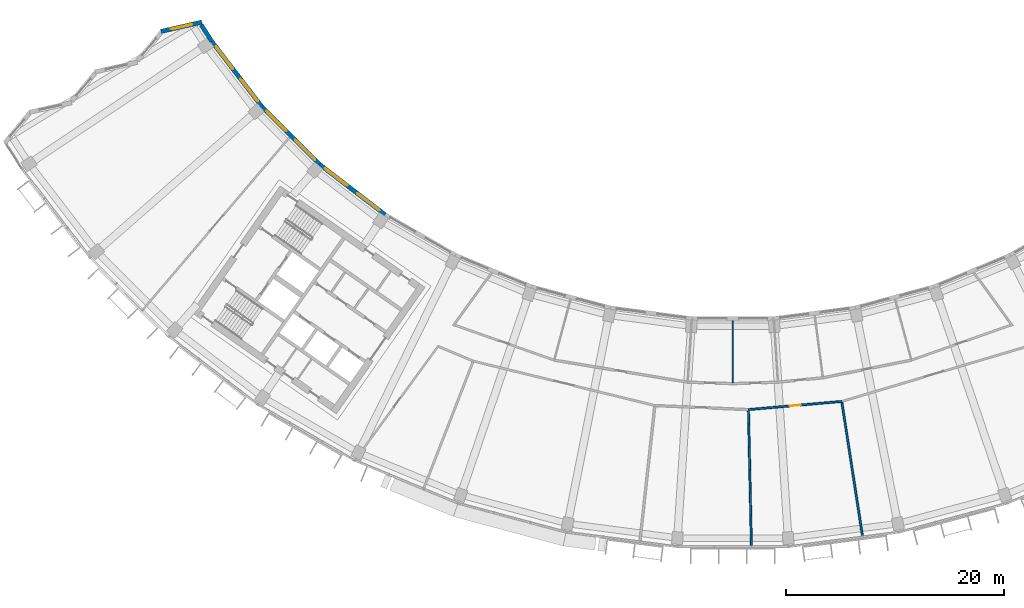
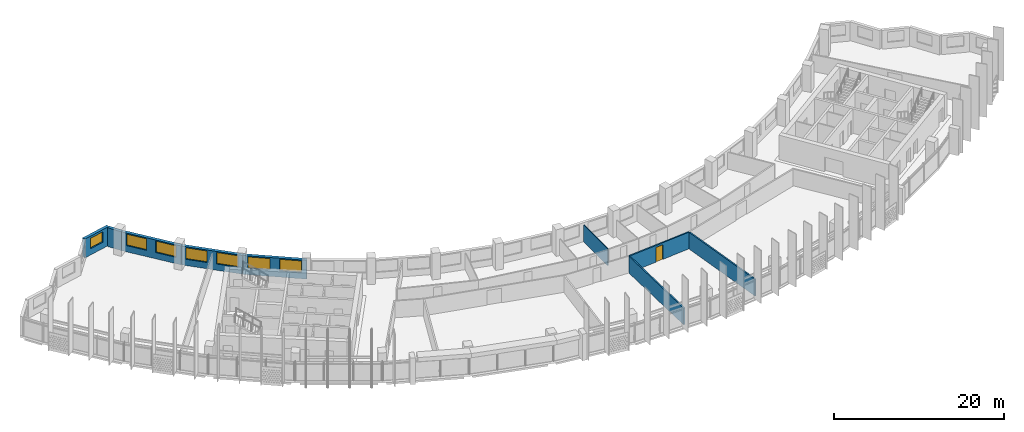
# One storey, part 5 of 28: 9 walls, 7 windows, 1 door, 8 openings.
"""IFC4 building model written with IfcOpenShell, lengths in metres."""

from ifc_helpers import new_model, si_unit, direction, frame, frame_2d, origin, place, context, subcontext, project, spatial, rectangle, extrude, material, layer, layer_set, type_object, element, fill, save


model = new_model("IFC4")

# Units and contexts
model_context = context("Model", 3, precision=1e-05, world=origin(), true_north=direction((0.0, 1.0)))
body_context = subcontext(model_context, "Body", "Model", "MODEL_VIEW")
ifc_project = project(units=[si_unit("LENGTHUNIT", "METRE"), si_unit("AREAUNIT", "SQUARE_METRE"), si_unit("VOLUMEUNIT", "CUBIC_METRE"), si_unit("PLANEANGLEUNIT", "RADIAN"), si_unit("MASSUNIT", "GRAM", prefix="KILO")], contexts=[model_context])

# Site, building, storey
site_placement = place(None, origin())
site = spatial("IfcSite", under=ifc_project, at=site_placement, CompositionType="ELEMENT")
building_placement = place(site_placement, origin())
building = spatial("IfcBuilding", under=site, at=building_placement, Name="Qamariyya Broadcast Tower", CompositionType="ELEMENT")
storey_placement = place(building_placement, frame((0.0, 0.0, 234.10009765625)))
storey = spatial("IfcBuildingStorey", under=building, at=storey_placement, Name="L56", CompositionType="ELEMENT", Elevation=234.10009765625)

# Wall
ifc_material_1 = material(Name="Gypsum board partition")
ifc_layer_1 = layer(ifc_material_1, 0.10009765625)
ifc_layer_set_1 = layer_set([ifc_layer_1], Name="Partition 100")
wall_type_1 = type_object("IfcWallType", Name="Partition 100", PredefinedType="PARTITIONING", material=ifc_layer_set_1)
wall_1_placement = place(storey_placement, frame((0.0, -57.627197265625, 0.0), z_axis=(0.0, 0.0, 1.0), x_axis=(0.0, -1.0, 0.0)))
element("IfcWall", 1, at=wall_1_placement, inside=storey, type_object=wall_type_1, Name="Partition L56-015", PredefinedType="PARTITIONING", context=body_context, shape_type="SweptSolid", body=[
    extrude(rectangle(XDim=5.682861328125, YDim=0.10009765625, at=frame_2d((2.84130859375, 0.0))), origin(), (0.0, 0.0, 1.0), 2.39990234375),
])

# Wall, opening, door
ifc_layer_2 = layer(ifc_material_1, 0.179931640625)
ifc_layer_set_2 = layer_set([ifc_layer_2], Name="Studio acoustic partition 180 EI 60")
wall_type_2 = type_object("IfcWallType", Name="Studio acoustic partition 180 EI 60", PredefinedType="PARTITIONING", material=ifc_layer_set_2)
wall_2_placement = place(storey_placement, frame((10.011474609375, -65.033935546875, 0.0), z_axis=(0.0, 0.0, 1.0), x_axis=(-0.996193717496, -0.087166950281, 0.0)))
wall_2 = element("IfcWall", 2, at=wall_2_placement, inside=storey, type_object=wall_type_2, Name="Partition L56-016", PredefinedType="PARTITIONING", context=body_context, shape_type="SweptSolid", body=[
    extrude(rectangle(XDim=8.60693359375, YDim=0.179931640625, at=frame_2d((4.303466796875, 0.0))), origin(), (0.0, 0.0, 1.0), 2.39990234375),
])
opening_1_placement = place(wall_2_placement, frame((3.803466796875, 0.0, 0.0)))
opening_1 = element("IfcOpeningElement", 3, at=opening_1_placement, cuts=wall_2, Name="Opening L56-D04", PredefinedType="OPENING", context=body_context, shape_type="SweptSolid", body=[
    extrude(rectangle(XDim=1.0, YDim=2.10009765625, at=frame_2d((0.5, 1.050048828125))), frame((0.0, 0.099853515625, 0.0), z_axis=(0.0, -1.0, 0.0), x_axis=(1.0, 0.0, 0.0)), (0.0, 0.0, 1.0), 0.199951171875),
])
ifc_material_2 = material(Name="Timber fire door leaf", Category="wood")
door_type = type_object("IfcDoorType", Name="Fire door 1000 x 2100 FD60", OperationType="NOTDEFINED", PredefinedType="DOOR", material=ifc_material_2)
door_placement = place(opening_1_placement, origin())
door = element("IfcDoor", 4, at=door_placement, inside=storey, type_object=door_type, Name="Door L56-D04", OperationType="SINGLE_SWING_RIGHT", OverallHeight=2.10009765625, OverallWidth=1.0, PredefinedType="DOOR", context=body_context, shape_type="SweptSolid", body=[
    extrude(rectangle(XDim=1.0, YDim=2.10009765625, at=frame_2d((0.5, 1.050048828125))), frame((0.0, 0.02490234375, 0.0), z_axis=(0.0, -1.0, 0.0), x_axis=(1.0, 0.0, 0.0)), (0.0, 0.0, 1.0), 0.050048828125),
])
fill(opening_1, door)

# Walls
for number, where, z_axis, x_axis, name in (
    (5, (1.710205078125, -78.28173828125, 0.0), (0.0, 0.0, 1.0), (-0.021836156994, 0.999761562698, 0.0), "Partition L56-017"),
    (6, (11.91357421875, -77.388671875, 0.0), (0.0, 0.0, 1.0), (-0.152165096614, 0.988355089719, 0.0), "Partition L56-023"),
):
    element("IfcWall", number, at=place(storey_placement, frame(where, z_axis=z_axis, x_axis=x_axis)), inside=storey, type_object=wall_type_2, Name=name, PredefinedType="PARTITIONING", context=body_context, shape_type="SweptSolid", body=[
        extrude(rectangle(XDim=12.410400390625, YDim=0.179931640625, at=frame_2d((6.205078125, 0.0))), origin(), (0.0, 0.0, 1.0), 2.39990234375),
    ])

# Wall, opening, window
ifc_material_3 = material(Name="Terracotta", Category="masonry")
ifc_layer_3 = layer(ifc_material_3, 0.39990234375)
ifc_layer_set_3 = layer_set([ifc_layer_3], Name="Terracotta clad wall 400")
wall_type_3 = type_object("IfcWallType", Name="Terracotta clad wall 400", PredefinedType="SOLIDWALL", material=ifc_layer_set_3)
wall_3_placement = place(storey_placement, frame((-48.790771484375, -30.18359375, 0.0), z_axis=(0.0, 0.0, 1.0), x_axis=(-0.975126598808, -0.221648632518, 0.0)))
wall_3 = element("IfcWall", 7, at=wall_3_placement, inside=storey, type_object=wall_type_3, Name="e-wl-L56-capW0", PredefinedType="SOLIDWALL", context=body_context, shape_type="SweptSolid", body=[
    extrude(rectangle(XDim=3.833251953125, YDim=0.39990234375, at=frame_2d((1.91650390625, 0.0))), origin(), (0.0, 0.0, 1.0), 2.699951171875),
])
opening_2_placement = place(wall_3_placement, frame((0.91650390625, 0.0, 0.89990234375)))
opening_2 = element("IfcOpeningElement", 8, at=opening_2_placement, cuts=wall_3, Name="Opening W4", PredefinedType="OPENING", context=body_context, shape_type="SweptSolid", body=[
    extrude(rectangle(XDim=2.0, YDim=1.5, at=frame_2d((1.0, 0.75))), frame((0.0, 0.2099609375, 0.0), z_axis=(0.0, -1.0, 0.0), x_axis=(1.0, 0.0, 0.0)), (0.0, 0.0, 1.0), 0.419921875),
])
ifc_material_4 = material(Name="Clear low-e double glazed unit in aluminium frame", Category="aluminium")
window_type_1 = type_object("IfcWindowType", Name="Horn bay window 2000 x 1500", PartitioningType="SINGLE_PANEL", PredefinedType="WINDOW", material=ifc_material_4)
window_1_placement = place(opening_2_placement, origin())
window_1 = element("IfcWindow", 9, at=window_1_placement, inside=storey, type_object=window_type_1, Name="e-w-L56-capW0", OverallHeight=1.5, OverallWidth=2.0, PartitioningType="SINGLE_PANEL", PredefinedType="WINDOW", context=body_context, shape_type="SweptSolid", body=[
    extrude(rectangle(XDim=2.0, YDim=1.5, at=frame_2d((1.0, 0.75))), frame((0.0, 0.030029296875, 0.0), z_axis=(0.0, -1.0, 0.0), x_axis=(1.0, 0.0, 0.0)), (0.0, 0.0, 1.0), 0.06005859375),
])
fill(opening_2, window_1)

# Wall
wall_4_placement = place(storey_placement, frame((-47.86572265625, -31.9501953125, 0.0), z_axis=(0.0, 0.0, 1.0), x_axis=(-0.5394465403, 0.842019851404, 0.0)))
element("IfcWall", 10, at=wall_4_placement, inside=storey, type_object=wall_type_3, Name="e-wl-L56-in00", PredefinedType="SOLIDWALL", context=body_context, shape_type="SweptSolid", body=[
    extrude(rectangle(XDim=1.798583984375, YDim=0.39990234375, at=frame_2d((0.8994140625, 0.0))), origin(), (0.0, 0.0, 1.0), 2.699951171875),
])

# Wall, openings, windows
wall_5_placement = place(storey_placement, frame((-43.25341796875, -37.965576171875, 0.0), z_axis=(0.0, 0.0, 1.0), x_axis=(-0.608754059844, 0.793358994796, 0.0)))
wall_5 = element("IfcWall", 11, at=wall_5_placement, inside=storey, type_object=wall_type_3, Name="e-wl-L56-in10", PredefinedType="SOLIDWALL", context=body_context, shape_type="SweptSolid", body=[
    extrude(rectangle(XDim=7.5634765625, YDim=0.39990234375, at=frame_2d((3.78173828125, 0.0))), origin(), (0.0, 0.0, 1.0), 2.699951171875),
])
opening_3_placement = place(wall_5_placement, frame((4.364501953125, 0.0, 0.89990234375)))
opening_3 = element("IfcOpeningElement", 12, at=opening_3_placement, cuts=wall_5, Name="Opening W1", PredefinedType="OPENING", context=body_context, shape_type="SweptSolid", body=[
    extrude(rectangle(XDim=2.60009765625, YDim=1.64990234375, at=frame_2d((1.300048828125, 0.824951171875))), frame((0.0, 0.2099609375, 0.0), z_axis=(0.0, -1.0, 0.0), x_axis=(1.0, 0.0, 0.0)), (0.0, 0.0, 1.0), 0.419921875),
])
opening_4_placement = place(wall_5_placement, frame((0.613525390625, 0.0, 0.89990234375)))
opening_4 = element("IfcOpeningElement", 13, at=opening_4_placement, cuts=wall_5, Name="Opening W1", PredefinedType="OPENING", context=body_context, shape_type="SweptSolid", body=[
    extrude(rectangle(XDim=2.60009765625, YDim=1.64990234375, at=frame_2d((1.300048828125, 0.824951171875))), frame((0.0, 0.2099609375, 0.0), z_axis=(0.0, -1.0, 0.0), x_axis=(1.0, 0.0, 0.0)), (0.0, 0.0, 1.0), 0.419921875),
])
window_type_2 = type_object("IfcWindowType", Name="Ribbon window 2600 x 1650", PartitioningType="SINGLE_PANEL", PredefinedType="WINDOW", material=ifc_material_4)
window_2_placement = place(opening_3_placement, origin())
window_2 = element("IfcWindow", 14, at=window_2_placement, inside=storey, type_object=window_type_2, Name="e-w-L56-in01-0", OverallHeight=1.64990234375, OverallWidth=2.60009765625, PartitioningType="SINGLE_PANEL", PredefinedType="WINDOW", context=body_context, shape_type="SweptSolid", body=[
    extrude(rectangle(XDim=2.60009765625, YDim=1.64990234375, at=frame_2d((1.300048828125, 0.824951171875))), frame((0.0, 0.030029296875, 0.0), z_axis=(0.0, -1.0, 0.0), x_axis=(1.0, 0.0, 0.0)), (0.0, 0.0, 1.0), 0.06005859375),
])
fill(opening_3, window_2)
window_3_placement = place(opening_4_placement, origin())
window_3 = element("IfcWindow", 15, at=window_3_placement, inside=storey, type_object=window_type_2, Name="e-w-L56-in01-1", OverallHeight=1.64990234375, OverallWidth=2.60009765625, PartitioningType="SINGLE_PANEL", PredefinedType="WINDOW", context=body_context, shape_type="SweptSolid", body=[
    extrude(rectangle(XDim=2.60009765625, YDim=1.64990234375, at=frame_2d((1.300048828125, 0.824951171875))), frame((0.0, 0.030029296875, 0.0), z_axis=(0.0, -1.0, 0.0), x_axis=(1.0, 0.0, 0.0)), (0.0, 0.0, 1.0), 0.06005859375),
])
fill(opening_4, window_3)

wall_6_placement = place(storey_placement, frame((-37.9814453125, -43.23291015625, 0.0), z_axis=(0.0, 0.0, 1.0), x_axis=(-0.707106781187, 0.707106781187, 0.0)))
wall_6 = element("IfcWall", 16, at=wall_6_placement, inside=storey, type_object=wall_type_3, Name="e-wl-L56-in20", PredefinedType="SOLIDWALL", context=body_context, shape_type="SweptSolid", body=[
    extrude(rectangle(XDim=7.4267578125, YDim=0.39990234375, at=frame_2d((3.71337890625, 0.0))), origin(), (0.0, 0.0, 1.0), 2.699951171875),
])
opening_5_placement = place(wall_6_placement, frame((4.28857421875, 0.0, 0.89990234375)))
opening_5 = element("IfcOpeningElement", 17, at=opening_5_placement, cuts=wall_6, Name="Opening W1", PredefinedType="OPENING", context=body_context, shape_type="SweptSolid", body=[
    extrude(rectangle(XDim=2.60009765625, YDim=1.64990234375, at=frame_2d((1.300048828125, 0.824951171875))), frame((0.0, 0.2099609375, 0.0), z_axis=(0.0, -1.0, 0.0), x_axis=(1.0, 0.0, 0.0)), (0.0, 0.0, 1.0), 0.419921875),
])
opening_6_placement = place(wall_6_placement, frame((0.537841796875, 0.0, 0.89990234375)))
opening_6 = element("IfcOpeningElement", 18, at=opening_6_placement, cuts=wall_6, Name="Opening W1", PredefinedType="OPENING", context=body_context, shape_type="SweptSolid", body=[
    extrude(rectangle(XDim=2.60009765625, YDim=1.64990234375, at=frame_2d((1.300048828125, 0.824951171875))), frame((0.0, 0.2099609375, 0.0), z_axis=(0.0, -1.0, 0.0), x_axis=(1.0, 0.0, 0.0)), (0.0, 0.0, 1.0), 0.419921875),
])
window_4_placement = place(opening_5_placement, origin())
window_4 = element("IfcWindow", 19, at=window_4_placement, inside=storey, type_object=window_type_2, Name="e-w-L56-in02-0", OverallHeight=1.64990234375, OverallWidth=2.60009765625, PartitioningType="SINGLE_PANEL", PredefinedType="WINDOW", context=body_context, shape_type="SweptSolid", body=[
    extrude(rectangle(XDim=2.60009765625, YDim=1.64990234375, at=frame_2d((1.300048828125, 0.824951171875))), frame((0.0, 0.030029296875, 0.0), z_axis=(0.0, -1.0, 0.0), x_axis=(1.0, 0.0, 0.0)), (0.0, 0.0, 1.0), 0.06005859375),
])
fill(opening_5, window_4)
window_5_placement = place(opening_6_placement, origin())
window_5 = element("IfcWindow", 20, at=window_5_placement, inside=storey, type_object=window_type_2, Name="e-w-L56-in02-1", OverallHeight=1.64990234375, OverallWidth=2.60009765625, PartitioningType="SINGLE_PANEL", PredefinedType="WINDOW", context=body_context, shape_type="SweptSolid", body=[
    extrude(rectangle(XDim=2.60009765625, YDim=1.64990234375, at=frame_2d((1.300048828125, 0.824951171875))), frame((0.0, 0.030029296875, 0.0), z_axis=(0.0, -1.0, 0.0), x_axis=(1.0, 0.0, 0.0)), (0.0, 0.0, 1.0), 0.06005859375),
])
fill(opening_6, window_5)

wall_7_placement = place(storey_placement, frame((-31.953369140625, -47.86669921875, 0.0), z_axis=(0.0, 0.0, 1.0), x_axis=(-0.793356365089, 0.608757486995, 0.0)))
wall_7 = element("IfcWall", 21, at=wall_7_placement, inside=storey, type_object=wall_type_3, Name="e-wl-L56-in30", PredefinedType="SOLIDWALL", context=body_context, shape_type="SweptSolid", body=[
    extrude(rectangle(XDim=7.578125, YDim=0.39990234375, at=frame_2d((3.7890625, 0.0))), origin(), (0.0, 0.0, 1.0), 2.699951171875),
])
opening_7_placement = place(wall_7_placement, frame((4.364501953125, 0.0, 0.89990234375)))
opening_7 = element("IfcOpeningElement", 22, at=opening_7_placement, cuts=wall_7, Name="Opening W1", PredefinedType="OPENING", context=body_context, shape_type="SweptSolid", body=[
    extrude(rectangle(XDim=2.60009765625, YDim=1.64990234375, at=frame_2d((1.300048828125, 0.824951171875))), frame((0.0, 0.2099609375, 0.0), z_axis=(0.0, -1.0, 0.0), x_axis=(1.0, 0.0, 0.0)), (0.0, 0.0, 1.0), 0.419921875),
])
opening_8_placement = place(wall_7_placement, frame((0.613525390625, 0.0, 0.89990234375)))
opening_8 = element("IfcOpeningElement", 23, at=opening_8_placement, cuts=wall_7, Name="Opening W1", PredefinedType="OPENING", context=body_context, shape_type="SweptSolid", body=[
    extrude(rectangle(XDim=2.60009765625, YDim=1.64990234375, at=frame_2d((1.300048828125, 0.824951171875))), frame((0.0, 0.2099609375, 0.0), z_axis=(0.0, -1.0, 0.0), x_axis=(1.0, 0.0, 0.0)), (0.0, 0.0, 1.0), 0.419921875),
])
window_6_placement = place(opening_7_placement, origin())
window_6 = element("IfcWindow", 24, at=window_6_placement, inside=storey, type_object=window_type_2, Name="e-w-L56-in03-0", OverallHeight=1.64990234375, OverallWidth=2.60009765625, PartitioningType="SINGLE_PANEL", PredefinedType="WINDOW", context=body_context, shape_type="SweptSolid", body=[
    extrude(rectangle(XDim=2.60009765625, YDim=1.64990234375, at=frame_2d((1.300048828125, 0.824951171875))), frame((0.0, 0.030029296875, 0.0), z_axis=(0.0, -1.0, 0.0), x_axis=(1.0, 0.0, 0.0)), (0.0, 0.0, 1.0), 0.06005859375),
])
fill(opening_7, window_6)
window_7_placement = place(opening_8_placement, origin())
window_7 = element("IfcWindow", 25, at=window_7_placement, inside=storey, type_object=window_type_2, Name="e-w-L56-in03-1", OverallHeight=1.64990234375, OverallWidth=2.60009765625, PartitioningType="SINGLE_PANEL", PredefinedType="WINDOW", context=body_context, shape_type="SweptSolid", body=[
    extrude(rectangle(XDim=2.60009765625, YDim=1.64990234375, at=frame_2d((1.300048828125, 0.824951171875))), frame((0.0, 0.030029296875, 0.0), z_axis=(0.0, -1.0, 0.0), x_axis=(1.0, 0.0, 0.0)), (0.0, 0.0, 1.0), 0.06005859375),
])
fill(opening_8, window_7)

save(model, "model.ifc")
